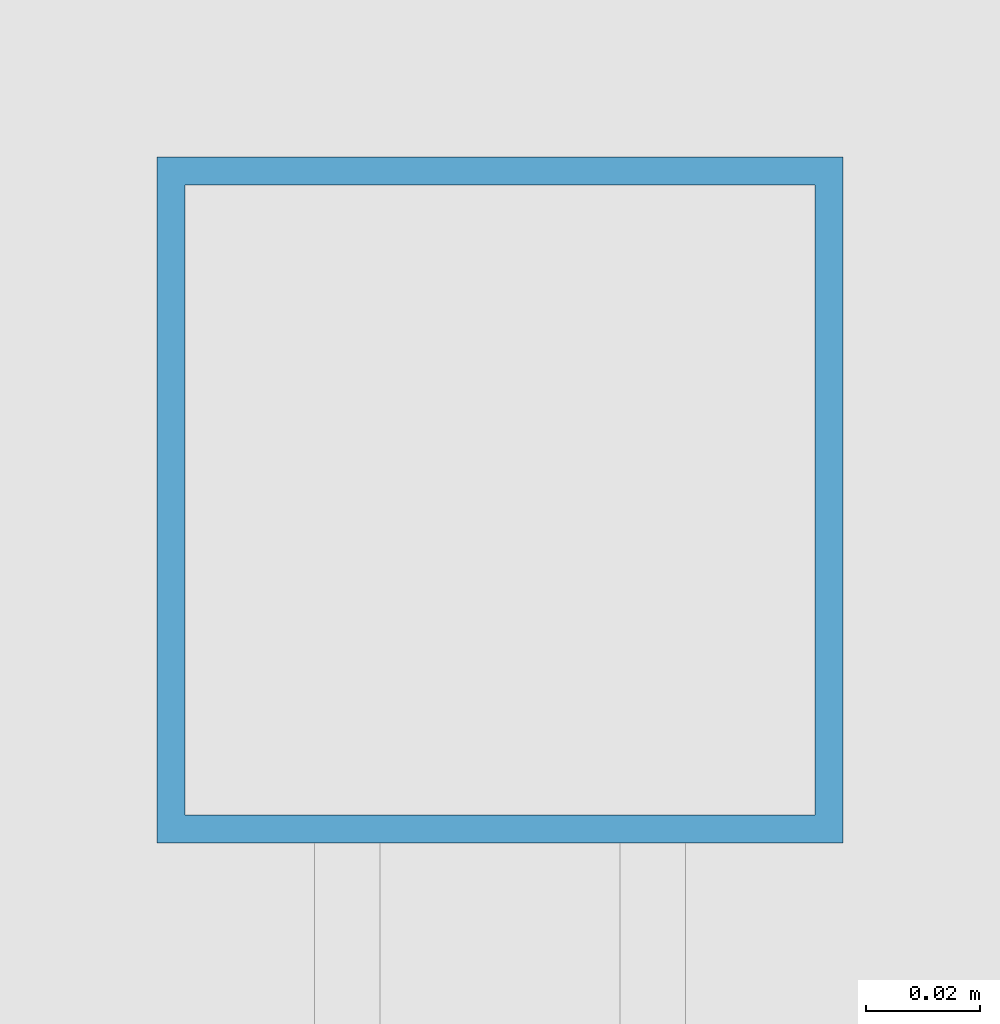
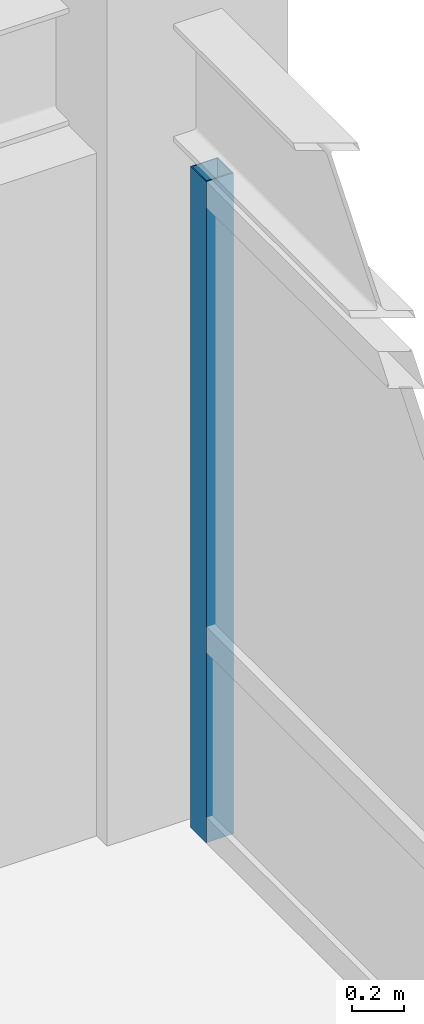
# One storey, part 20 of 28: 1 member, 1 element without a shape of its own.
"""IFC4 building model written with IfcOpenShell, lengths in metres."""

from ifc_helpers import new_model, si_unit, direction, frame, origin, origin_2d, place, context, subcontext, project, spatial, hollow_rectangle, extrude, source, transform, mapped, material, material_profile, profile_set, type_object, element, aggregate, save


model = new_model("IFC4")

# Units and contexts
model_context = context("Model", 3, precision=1e-05, world=origin(), true_north=direction((0.0, 1.0)))
body_context = subcontext(model_context, "Body", "Model", "MODEL_VIEW")
ifc_project = project(units=[si_unit("LENGTHUNIT", "METRE"), si_unit("AREAUNIT", "SQUARE_METRE"), si_unit("VOLUMEUNIT", "CUBIC_METRE"), si_unit("PLANEANGLEUNIT", "RADIAN"), si_unit("MASSUNIT", "GRAM", prefix="KILO")], contexts=[model_context])

# Site, building, storey
site_placement = place(None, origin())
site = spatial("IfcSite", under=ifc_project, at=site_placement, CompositionType="ELEMENT")
building_placement = place(site_placement, origin())
building = spatial("IfcBuilding", under=site, at=building_placement, Name="Khorayat Bourse Tower", CompositionType="ELEMENT")
storey_placement = place(building_placement, frame((0.0, 0.0, 334.300048828125)))
storey = spatial("IfcBuildingStorey", under=building, at=storey_placement, Name="L79", CompositionType="ELEMENT", Elevation=334.300048828125)

# Curtain wall, member
ifc_material = material(Name="Aluminium EN AW-6063 T6", Category="aluminium")
curtain_wall_type = type_object("IfcCurtainWallType", Name="CW-SYS-04", PredefinedType="NOTDEFINED", material=ifc_material)
curtain_wall_placement = place(storey_placement, origin())
curtain_wall = element("IfcCurtainWall", 1, at=curtain_wall_placement, inside=storey, type_object=curtain_wall_type, Name="L79 Curtain Wall CW-L79-E1", PredefinedType="NOTDEFINED")
ifc_material_profile = material_profile(ifc_material, hollow_rectangle(XDim=0.1201171875, YDim=0.1201171875, WallThickness=0.0048828125, at=origin_2d()), Name="ALU 120x120x5")
ifc_profile_set = profile_set([ifc_material_profile], Name="Aluminium EN AW-6063 T6")
member_type = type_object("IfcMemberType", Name="CWM-VERT-120", PredefinedType="MULLION", material=ifc_profile_set)
shared_shape = source(origin(), body_context, "Body", "SweptSolid", [
    extrude(hollow_rectangle(XDim=0.1201171875, YDim=0.1201171875, WallThickness=0.0048828125, at=origin_2d()), origin(), (0.0, 0.0, 1.0), 3.08984375),
])
member_placement = place(storey_placement, frame((26.0, 19.489990234375, 0.0), z_axis=(0.0, 0.0, 1.0), x_axis=(-1.0, 0.0, 0.0)))
member = element("IfcMember", 2, at=member_placement, type_object=member_type, Name="CW-L79-E1 Vertical Mullion 3", PredefinedType="MULLION", context=body_context, shape_type="MappedRepresentation", body=[
    mapped(shared_shape, transform((0.0, 0.0, 0.0), scale=1.0)),
])
aggregate(curtain_wall, [member])

save(model, "model.ifc")
